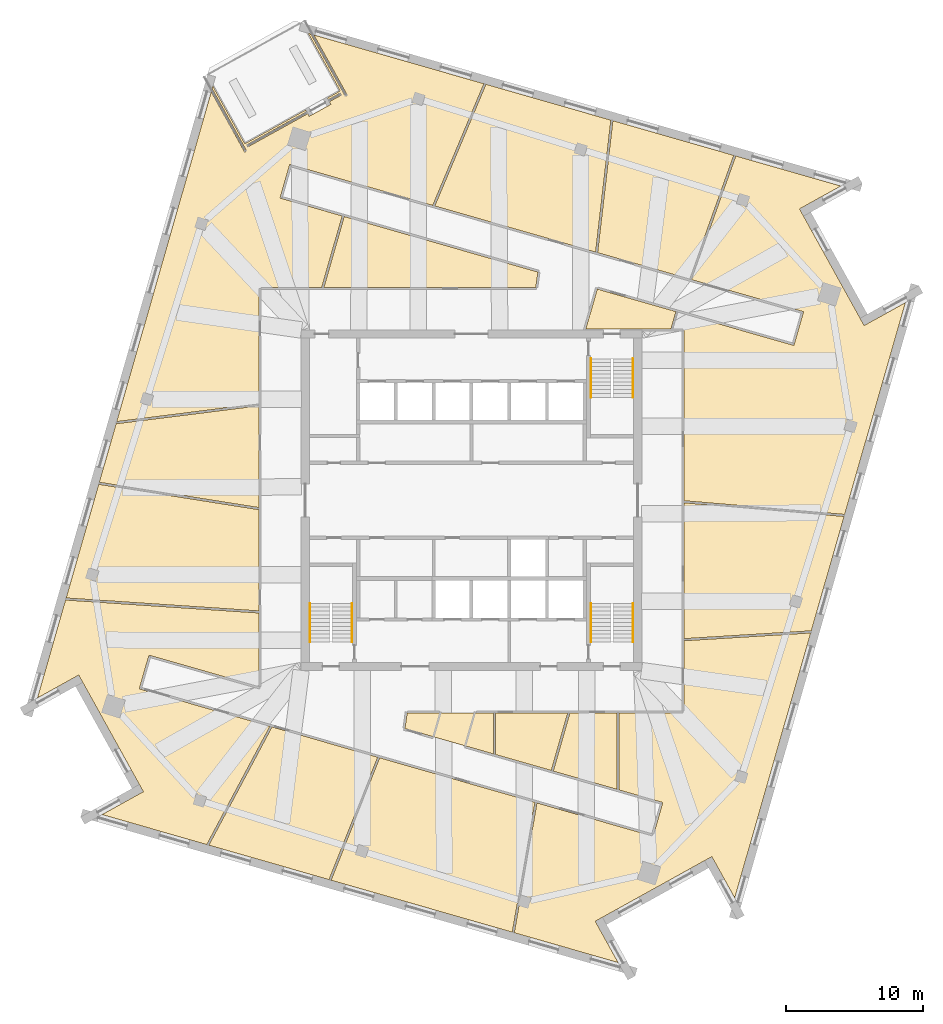
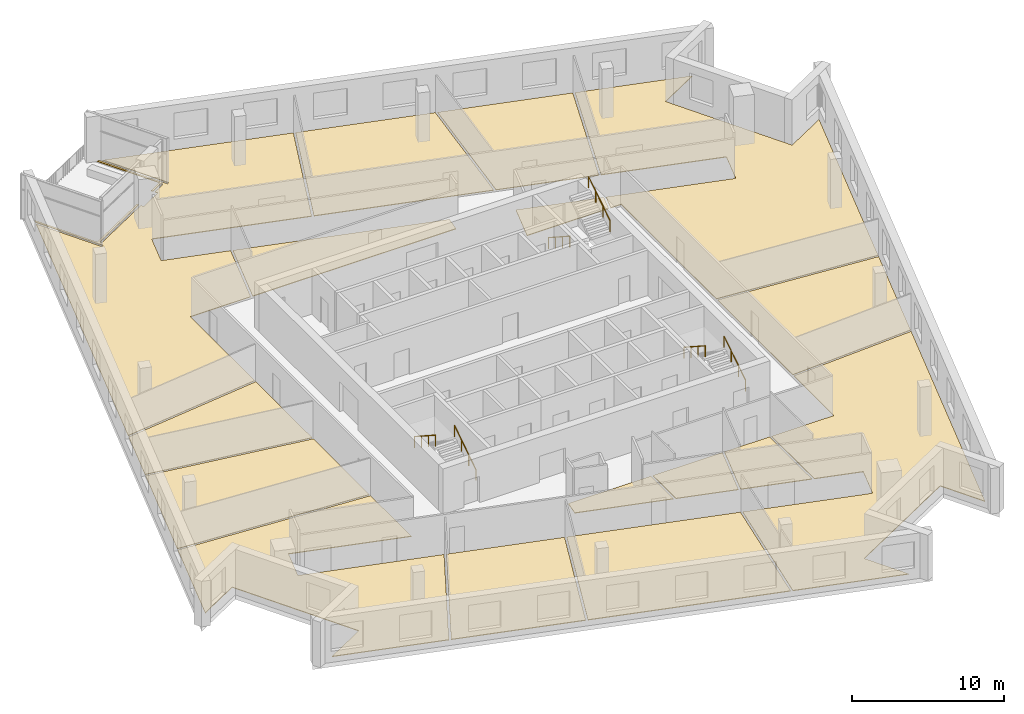
# One storey, part 13 of 15: 16 coverings, 6 railings.
"""IFC4 building model written with IfcOpenShell, lengths in metres."""

from ifc_helpers import new_model, si_unit, direction, frame, origin, origin_2d, place, context, subcontext, project, spatial, polyline, circle, outline, extrude, material, layer, layer_set, type_object, element, save


model = new_model("IFC4")

# Units and contexts
model_context = context("Model", 3, precision=1e-05, world=origin(), true_north=direction((0.0, 1.0)))
body_context = subcontext(model_context, "Body", "Model", "MODEL_VIEW")
ifc_project = project(units=[si_unit("LENGTHUNIT", "METRE"), si_unit("AREAUNIT", "SQUARE_METRE"), si_unit("VOLUMEUNIT", "CUBIC_METRE"), si_unit("PLANEANGLEUNIT", "RADIAN"), si_unit("MASSUNIT", "GRAM", prefix="KILO")], contexts=[model_context])

# Site, building, storey
site_placement = place(None, origin())
site = spatial("IfcSite", under=ifc_project, at=site_placement, CompositionType="ELEMENT")
building_placement = place(site_placement, origin())
building = spatial("IfcBuilding", under=site, at=building_placement, Name="Dilmun Exchange Tower", CompositionType="ELEMENT")
storey_placement = place(building_placement, frame((0.0, 0.0, 324.5)))
storey = spatial("IfcBuildingStorey", under=building, at=storey_placement, Name="L77", CompositionType="ELEMENT", Elevation=324.5)

# Coverings
ifc_material_1 = material(Name="Carpet floor finish 50")
ifc_layer_1 = layer(ifc_material_1, 0.050048828125)
ifc_layer_set_1 = layer_set([ifc_layer_1], Name="Carpet floor finish 50")
covering_type_1 = type_object("IfcCoveringType", Name="Carpet floor finish 50", PredefinedType="FLOORING", material=ifc_layer_set_1)
covering_1_placement = place(storey_placement, origin())
element("IfcCovering", 1, at=covering_1_placement, inside=storey, type_object=covering_type_1, Name="Carpet floor finish 50 Members library", PredefinedType="FLOORING", context=body_context, shape_type="SweptSolid", body=[
    extrude(outline(polyline([(-15.47509765625, -8.199951171875), (-15.47509765625, -13.5654296875), (-23.468994140625, -11.273193359375), (-24.171875, -13.724365234375), (-14.66455078125, -16.45068359375), (-19.263671875, -25.05908203125), (-26.8828125, -22.874267578125), (-23.880859375, -21.210205078125), (-23.880615234375, -21.210205078125), (-23.880615234375, -21.210205078125), (-23.88037109375, -21.2099609375), (-23.880126953125, -21.209716796875), (-23.880126953125, -21.209716796875), (-23.8798828125, -21.20947265625), (-23.8798828125, -21.209228515625), (-23.8798828125, -21.208984375), (-23.8798828125, -21.208984375), (-23.8798828125, -21.208740234375), (-23.8798828125, -21.20849609375), (-23.8798828125, -21.20849609375), (-23.8798828125, -21.208251953125), (-23.8798828125, -21.2080078125), (-23.8798828125, -21.207763671875), (-23.8798828125, -21.20751953125), (-24.170654296875, -20.68310546875), (-24.170654296875, -20.68310546875), (-24.1708984375, -20.68310546875), (-24.1708984375, -20.682861328125), (-28.291748046875, -13.24853515625), (-28.291748046875, -13.24853515625), (-28.291748046875, -13.24853515625), (-28.582763671875, -12.7236328125), (-28.582763671875, -12.7236328125), (-28.5830078125, -12.723388671875), (-28.5830078125, -12.723388671875), (-28.583251953125, -12.72314453125), (-28.58349609375, -12.722900390625), (-28.58349609375, -12.722900390625), (-28.583740234375, -12.722900390625), (-28.583984375, -12.722900390625), (-28.583984375, -12.72265625), (-28.584228515625, -12.72265625), (-28.58447265625, -12.72265625), (-28.584716796875, -12.72265625), (-28.5849609375, -12.722900390625), (-28.585205078125, -12.722900390625), (-28.585205078125, -12.722900390625), (-28.58544921875, -12.722900390625), (-31.587158203125, -14.386962890625), (-29.54296875, -7.2578125), (-15.47509765625, -8.199951171875)])), origin(), (0.0, 0.0, 1.0), 0.050048828125),
])
covering_2_placement = place(storey_placement, origin())
element("IfcCovering", 2, at=covering_2_placement, inside=storey, type_object=covering_type_1, Name="Carpet floor finish 50 Serviced office", PredefinedType="FLOORING", context=body_context, shape_type="SweptSolid", body=[
    extrude(outline(polyline([(-29.500732421875, -7.1103515625), (-27.127685546875, 1.1650390625), (-15.47509765625, -0.680908203125), (-15.47509765625, -8.049560546875), (-29.500732421875, -7.1103515625)])), origin(), (0.0, 0.0, 1.0), 0.050048828125),
])
covering_3_placement = place(storey_placement, origin())
element("IfcCovering", 3, at=covering_3_placement, inside=storey, type_object=covering_type_1, Name="Carpet floor finish 50 Members lounge", PredefinedType="FLOORING", context=body_context, shape_type="SweptSolid", body=[
    extrude(outline(polyline([(-15.47509765625, 6.875244140625), (-15.47509765625, -0.529052734375), (-27.086181640625, 1.310302734375), (-25.864501953125, 5.571044921875), (-15.47509765625, 6.875244140625)])), origin(), (0.0, 0.0, 1.0), 0.050048828125),
])
covering_4_placement = place(storey_placement, origin())
element("IfcCovering", 4, at=covering_4_placement, inside=storey, type_object=covering_type_1, Name="Carpet floor finish 50 Garden lounge", PredefinedType="FLOORING", context=body_context, shape_type="SweptSolid", body=[
    extrude(outline(polyline([(-16.49267578125, 25.95263671875), (-12.065185546875, 28.40673828125), (-11.99609375, 28.28173828125), (-16.35791015625, 25.864013671875), (-16.35791015625, 25.86376953125), (-16.358154296875, 25.86376953125), (-16.3583984375, 25.863525390625), (-16.3583984375, 25.86328125), (-16.358642578125, 25.86328125), (-16.358642578125, 25.863037109375), (-16.358642578125, 25.86279296875), (-16.35888671875, 25.86279296875), (-16.35888671875, 25.862548828125), (-16.35888671875, 25.8623046875), (-16.35888671875, 25.862060546875), (-16.35888671875, 25.86181640625), (-16.35888671875, 25.86181640625), (-16.35888671875, 25.861572265625), (-16.358642578125, 25.861328125), (-16.358642578125, 25.861083984375), (-16.281005859375, 25.72119140625), (-16.281005859375, 25.72119140625), (-16.28076171875, 25.720947265625), (-16.28076171875, 25.720703125), (-16.280517578125, 25.720703125), (-16.280517578125, 25.720703125), (-16.2802734375, 25.720458984375), (-16.280029296875, 25.720458984375), (-16.27978515625, 25.72021484375), (-16.27978515625, 25.72021484375), (-16.279541015625, 25.72021484375), (-16.279296875, 25.72021484375), (-16.279052734375, 25.72021484375), (-16.27880859375, 25.72021484375), (-16.27880859375, 25.72021484375), (-16.278564453125, 25.720458984375), (-16.2783203125, 25.720458984375), (-11.91650390625, 28.13818359375), (-11.810791015625, 27.947509765625), (-11.810791015625, 27.947509765625), (-11.810546875, 27.947265625), (-11.810302734375, 27.947265625), (-11.810302734375, 27.947021484375), (-11.81005859375, 27.947021484375), (-11.81005859375, 27.94677734375), (-11.809814453125, 27.94677734375), (-11.8095703125, 27.94677734375), (-11.809326171875, 27.94677734375), (-11.80908203125, 27.946533203125), (-11.80908203125, 27.946533203125), (-11.808837890625, 27.946533203125), (-11.80859375, 27.94677734375), (-11.808349609375, 27.94677734375), (-11.808349609375, 27.94677734375), (-11.80810546875, 27.947021484375), (-10.23388671875, 28.819580078125), (-10.233642578125, 28.819580078125), (-10.2333984375, 28.81982421875), (-10.2333984375, 28.81982421875), (-10.233154296875, 28.820068359375), (-10.233154296875, 28.8203125), (-10.23291015625, 28.8203125), (-10.23291015625, 28.820556640625), (-10.23291015625, 28.82080078125), (-10.23291015625, 28.821044921875), (-10.23291015625, 28.8212890625), (-10.23291015625, 28.8212890625), (-10.23291015625, 28.821533203125), (-10.23291015625, 28.82177734375), (-10.23291015625, 28.822021484375), (-10.23291015625, 28.822021484375), (-10.23291015625, 28.822265625), (-10.338623046875, 29.012939453125), (-9.475341796875, 29.491455078125), (-9.47509765625, 29.49169921875), (-9.47509765625, 29.49169921875), (-9.474853515625, 29.49169921875), (-9.474853515625, 29.491943359375), (-9.474609375, 29.4921875), (-9.474609375, 29.4921875), (-9.474609375, 29.492431640625), (-9.474365234375, 29.49267578125), (-9.474365234375, 29.492919921875), (-9.474365234375, 29.4931640625), (-9.474365234375, 29.493408203125), (-9.474365234375, 29.493408203125), (-9.474365234375, 29.49365234375), (-9.474365234375, 29.493896484375), (-9.474609375, 29.493896484375), (-9.474609375, 29.494140625), (-9.552001953125, 29.634033203125), (-9.55224609375, 29.63427734375), (-9.552490234375, 29.634521484375), (-9.552490234375, 29.634521484375), (-9.552490234375, 29.634765625), (-9.552734375, 29.635009765625), (-9.552978515625, 29.635009765625), (-9.552978515625, 29.635009765625), (-9.55322265625, 29.635009765625), (-9.553466796875, 29.635009765625), (-9.5537109375, 29.63525390625), (-9.553955078125, 29.63525390625), (-9.55419921875, 29.63525390625), (-9.55419921875, 29.635009765625), (-9.554443359375, 29.635009765625), (-9.5546875, 29.635009765625), (-9.554931640625, 29.635009765625), (-10.418212890625, 29.156494140625), (-10.487548828125, 29.281494140625), (-9.55859375, 29.79638671875), (-11.88330078125, 33.990234375), (-11.68896484375, 33.9345703125), (-9.178955078125, 29.406494140625), (-9.178955078125, 29.40625), (-9.1787109375, 29.406005859375), (-9.1787109375, 29.406005859375), (-9.178466796875, 29.406005859375), (-9.178466796875, 29.40576171875), (-9.17822265625, 29.405517578125), (-9.177978515625, 29.405517578125), (-9.177734375, 29.405517578125), (-9.177490234375, 29.405517578125), (-9.177490234375, 29.405517578125), (-9.17724609375, 29.405517578125), (-9.177001953125, 29.405517578125), (-9.1767578125, 29.405517578125), (-9.1767578125, 29.405517578125), (-9.176513671875, 29.405517578125), (-9.17626953125, 29.40576171875), (-9.036376953125, 29.483154296875), (-9.0361328125, 29.4833984375), (-9.035888671875, 29.4833984375), (-9.035888671875, 29.483642578125), (-9.035888671875, 29.483642578125), (-9.03564453125, 29.48388671875), (-9.03564453125, 29.484130859375), (-9.035400390625, 29.484130859375), (-9.035400390625, 29.484375), (-9.035400390625, 29.484619140625), (-9.035400390625, 29.48486328125), (-9.035400390625, 29.485107421875), (-9.035400390625, 29.485107421875), (-9.035400390625, 29.4853515625), (-9.035400390625, 29.485595703125), (-9.035400390625, 29.48583984375), (-9.03564453125, 29.486083984375), (-11.466064453125, 33.87060546875), (0.909912109375, 30.32177734375), (-2.815185546875, 21.462890625), (-13.22607421875, 24.447998046875), (-13.928955078125, 21.996826171875), (-9.404052734375, 20.699462890625), (-10.902099609375, 15.47509765625), (-15.47509765625, 15.47509765625), (-15.47509765625, 7.0263671875), (-25.8193359375, 5.727783203125), (-18.93701171875, 29.729248046875), (-16.506591796875, 25.344482421875), (-16.506591796875, 25.344482421875), (-16.506591796875, 25.34423828125), (-16.50634765625, 25.34423828125), (-16.506103515625, 25.343994140625), (-16.506103515625, 25.343994140625), (-16.505859375, 25.34375), (-16.505615234375, 25.34375), (-16.505615234375, 25.34375), (-16.50537109375, 25.343505859375), (-16.505126953125, 25.343505859375), (-16.5048828125, 25.343505859375), (-16.504638671875, 25.343505859375), (-16.50439453125, 25.34375), (-16.50439453125, 25.34375), (-16.504150390625, 25.34375), (-16.50390625, 25.343994140625), (-16.364013671875, 25.42138671875), (-16.364013671875, 25.42138671875), (-16.36376953125, 25.421630859375), (-16.363525390625, 25.421875), (-16.363525390625, 25.421875), (-16.36328125, 25.422119140625), (-16.36328125, 25.42236328125), (-16.36328125, 25.42236328125), (-16.363037109375, 25.422607421875), (-16.363037109375, 25.4228515625), (-16.363037109375, 25.423095703125), (-16.363037109375, 25.423095703125), (-16.363037109375, 25.42333984375), (-16.363037109375, 25.423583984375), (-16.363037109375, 25.423828125), (-16.36328125, 25.424072265625), (-16.36328125, 25.42431640625), (-18.873291015625, 29.9521484375), (-18.8173828125, 30.146484375), (-16.49267578125, 25.95263671875)])), origin(), (0.0, 0.0, 1.0), 0.050048828125),
])
covering_5_placement = place(storey_placement, origin())
element("IfcCovering", 5, at=covering_5_placement, inside=storey, type_object=covering_type_1, Name="Carpet floor finish 50 Business centre", PredefinedType="FLOORING", context=body_context, shape_type="SweptSolid", body=[
    extrude(outline(polyline([(-10.74609375, 15.47509765625), (-9.260009765625, 20.657958984375), (4.839111328125, 16.614990234375), (4.678955078125, 15.47509765625), (-10.74609375, 15.47509765625)])), origin(), (0.0, 0.0, 1.0), 0.050048828125),
])
covering_6_placement = place(storey_placement, origin())
element("IfcCovering", 6, at=covering_6_placement, inside=storey, type_object=covering_type_1, Name="Carpet floor finish 50 Cafe", PredefinedType="FLOORING", context=body_context, shape_type="SweptSolid", body=[
    extrude(outline(polyline([(-6.678955078125, -18.740478515625), (4.624755859375, -21.981689453125), (2.97265625, -31.43505859375), (-10.21630859375, -27.6533203125), (-6.678955078125, -18.740478515625)])), origin(), (0.0, 0.0, 1.0), 0.050048828125),
])
covering_7_placement = place(storey_placement, origin())
element("IfcCovering", 7, at=covering_7_placement, inside=storey, type_object=covering_type_1, Name="Carpet floor finish 50 Co-working hall 1", PredefinedType="FLOORING", context=body_context, shape_type="SweptSolid", body=[
    extrude(outline(polyline([(15.87353515625, 16.10400390625), (9.183349609375, 18.022216796875), (10.29443359375, 27.630859375), (19.094482421875, 25.107421875), (15.87353515625, 16.10400390625)])), origin(), (0.0, 0.0, 1.0), 0.050048828125),
])
covering_8_placement = place(storey_placement, origin())
element("IfcCovering", 8, at=covering_8_placement, inside=storey, type_object=covering_type_1, Name="Carpet floor finish 50 Co-working hall 2", PredefinedType="FLOORING", context=body_context, shape_type="SweptSolid", body=[
    extrude(outline(polyline([(4.769775390625, -22.023193359375), (13.22607421875, -24.447998046875), (13.928955078125, -21.996826171875), (10.744140625, -21.08349609375), (10.744140625, -15.47509765625), (15.47509765625, -15.47509765625), (15.47509765625, -10.22119140625), (24.693603515625, -9.65380859375), (19.16357421875, -28.939453125), (17.49951171875, -25.937744140625), (17.49951171875, -25.9375), (17.49951171875, -25.9375), (17.499267578125, -25.937255859375), (17.4990234375, -25.93701171875), (17.4990234375, -25.93701171875), (17.498779296875, -25.93701171875), (17.49853515625, -25.936767578125), (17.498291015625, -25.936767578125), (17.498291015625, -25.936767578125), (17.498046875, -25.936767578125), (17.497802734375, -25.936767578125), (17.497802734375, -25.936767578125), (17.49755859375, -25.936767578125), (17.497314453125, -25.936767578125), (17.4970703125, -25.936767578125), (17.496826171875, -25.93701171875), (16.972412109375, -26.2275390625), (16.972412109375, -26.2275390625), (16.972412109375, -26.227783203125), (16.97216796875, -26.227783203125), (9.538330078125, -30.348388671875), (9.538330078125, -30.348388671875), (9.5380859375, -30.348388671875), (9.5380859375, -30.348388671875), (9.537841796875, -30.3486328125), (9.012939453125, -30.639404296875), (9.012939453125, -30.6396484375), (9.0126953125, -30.6396484375), (9.0126953125, -30.639892578125), (9.012451171875, -30.639892578125), (9.01220703125, -30.64013671875), (9.01220703125, -30.640380859375), (9.01220703125, -30.640380859375), (9.01220703125, -30.640625), (9.011962890625, -30.640869140625), (9.011962890625, -30.64111328125), (9.011962890625, -30.641357421875), (9.011962890625, -30.6416015625), (9.01220703125, -30.6416015625), (9.01220703125, -30.641845703125), (9.01220703125, -30.64208984375), (9.01220703125, -30.64208984375), (10.67626953125, -33.64404296875), (3.11767578125, -31.476806640625), (4.769775390625, -22.023193359375)])), origin(), (0.0, 0.0, 1.0), 0.050048828125),
])
covering_9_placement = place(storey_placement, origin())
element("IfcCovering", 9, at=covering_9_placement, inside=storey, type_object=covering_type_1, Name="Carpet floor finish 50 Club dining room", PredefinedType="FLOORING", context=body_context, shape_type="SweptSolid", body=[
    extrude(outline(polyline([(15.47509765625, -10.071044921875), (15.47509765625, -0.181884765625), (27.125, -1.175048828125), (24.737548828125, -9.500732421875), (15.47509765625, -10.071044921875)])), origin(), (0.0, 0.0, 1.0), 0.050048828125),
])
covering_10_placement = place(storey_placement, origin())
element("IfcCovering", 10, at=covering_10_placement, inside=storey, type_object=covering_type_1, Name="Carpet floor finish 50 Co-working hall 3", PredefinedType="FLOORING", context=body_context, shape_type="SweptSolid", body=[
    extrude(outline(polyline([(15.027587890625, 13.693603515625), (23.468994140625, 11.273193359375), (24.171875, 13.724365234375), (16.01806640625, 16.0625), (19.23876953125, 25.066162109375), (26.8828125, 22.874267578125), (23.880859375, 21.210205078125), (23.880615234375, 21.210205078125), (23.880615234375, 21.210205078125), (23.88037109375, 21.2099609375), (23.880126953125, 21.209716796875), (23.880126953125, 21.209716796875), (23.8798828125, 21.20947265625), (23.8798828125, 21.209228515625), (23.8798828125, 21.208984375), (23.8798828125, 21.208984375), (23.8798828125, 21.208740234375), (23.8798828125, 21.20849609375), (23.8798828125, 21.20849609375), (23.8798828125, 21.208251953125), (23.8798828125, 21.2080078125), (23.8798828125, 21.207763671875), (23.8798828125, 21.20751953125), (24.170654296875, 20.68310546875), (24.170654296875, 20.68310546875), (24.1708984375, 20.68310546875), (24.1708984375, 20.682861328125), (28.291748046875, 13.24853515625), (28.291748046875, 13.24853515625), (28.291748046875, 13.24853515625), (28.582763671875, 12.7236328125), (28.582763671875, 12.7236328125), (28.5830078125, 12.723388671875), (28.5830078125, 12.723388671875), (28.583251953125, 12.72314453125), (28.58349609375, 12.722900390625), (28.58349609375, 12.722900390625), (28.583740234375, 12.722900390625), (28.583984375, 12.722900390625), (28.583984375, 12.72265625), (28.584228515625, 12.72265625), (28.58447265625, 12.72265625), (28.584716796875, 12.72265625), (28.5849609375, 12.722900390625), (28.585205078125, 12.722900390625), (28.585205078125, 12.722900390625), (28.58544921875, 12.722900390625), (31.587158203125, 14.386962890625), (27.1669921875, -1.028076171875), (15.47509765625, -0.03125), (15.47509765625, 12.47509765625), (14.67822265625, 12.47509765625), (15.027587890625, 13.693603515625)])), origin(), (0.0, 0.0, 1.0), 0.050048828125),
])

# Railings
ifc_material_2 = material(Name="Stainless steel", Category="steel")
railing_type = type_object("IfcRailingType", Name="Stair handrail 900", PredefinedType="HANDRAIL", material=ifc_material_2)
railing_1_placement = place(storey_placement, frame((8.699951171875, 10.300048828125, 0.181884765625)))
element("IfcRailing", 11, at=railing_1_placement, inside=storey, type_object=railing_type, Name="L77 ST1 stair handrail 1", PredefinedType="HANDRAIL", context=body_context, shape_type="SweptSolid", body=[
    extrude(circle(Radius=0.02392578125, at=origin_2d()), frame((0.0, 0.0, 0.8759765625), z_axis=(0.0, -0.838705829183, 0.544584733623), x_axis=(1.0, 0.0, 0.0)), (0.0, 0.0, 1.0), 3.338623046875),
    extrude(circle(Radius=0.02099609375, at=origin_2d()), origin(), (0.0, 0.0, 1.0), 0.851806640625),
    extrude(circle(Radius=0.02099609375, at=origin_2d()), frame((0.0, -0.933349609375, 0.60595703125)), (0.0, 0.0, 1.0), 0.851806640625),
    extrude(circle(Radius=0.02099609375, at=origin_2d()), frame((0.0, -1.86669921875, 1.212158203125)), (0.0, 0.0, 1.0), 0.851806640625),
    extrude(circle(Radius=0.02099609375, at=origin_2d()), frame((0.0, -2.800048828125, 1.818115234375)), (0.0, 0.0, 1.0), 0.851806640625),
])
for number, where, name in (
    (12, (11.75, 7.5, 2.181884765625), "L77 ST1 stair handrail 2"),
    (13, (-8.699951171875, -10.300048828125, 0.181884765625), "L77 ST2 stair handrail 1"),
):
    element("IfcRailing", number, at=place(storey_placement, frame(where)), inside=storey, type_object=railing_type, Name=name, PredefinedType="HANDRAIL", context=body_context, shape_type="SweptSolid", body=[
        extrude(circle(Radius=0.02392578125, at=origin_2d()), frame((0.0, 0.0, 0.8759765625), z_axis=(0.0, 0.838705829183, 0.544584733623), x_axis=(-1.0, 0.0, 0.0)), (0.0, 0.0, 1.0), 3.338623046875),
        extrude(circle(Radius=0.02099609375, at=origin_2d()), origin(), (0.0, 0.0, 1.0), 0.851806640625),
        extrude(circle(Radius=0.02099609375, at=origin_2d()), frame((0.0, 0.933349609375, 0.60595703125)), (0.0, 0.0, 1.0), 0.851806640625),
        extrude(circle(Radius=0.02099609375, at=origin_2d()), frame((0.0, 1.86669921875, 1.212158203125)), (0.0, 0.0, 1.0), 0.851806640625),
        extrude(circle(Radius=0.02099609375, at=origin_2d()), frame((0.0, 2.800048828125, 1.818115234375)), (0.0, 0.0, 1.0), 0.851806640625),
    ])
railing_2_placement = place(storey_placement, frame((-11.75, -7.5, 2.181884765625)))
element("IfcRailing", 14, at=railing_2_placement, inside=storey, type_object=railing_type, Name="L77 ST2 stair handrail 2", PredefinedType="HANDRAIL", context=body_context, shape_type="SweptSolid", body=[
    extrude(circle(Radius=0.02392578125, at=origin_2d()), frame((0.0, 0.0, 0.8759765625), z_axis=(0.0, -0.838705829183, 0.544584733623), x_axis=(1.0, 0.0, 0.0)), (0.0, 0.0, 1.0), 3.338623046875),
    extrude(circle(Radius=0.02099609375, at=origin_2d()), origin(), (0.0, 0.0, 1.0), 0.851806640625),
    extrude(circle(Radius=0.02099609375, at=origin_2d()), frame((0.0, -0.933349609375, 0.60595703125)), (0.0, 0.0, 1.0), 0.851806640625),
    extrude(circle(Radius=0.02099609375, at=origin_2d()), frame((0.0, -1.86669921875, 1.212158203125)), (0.0, 0.0, 1.0), 0.851806640625),
    extrude(circle(Radius=0.02099609375, at=origin_2d()), frame((0.0, -2.800048828125, 1.818115234375)), (0.0, 0.0, 1.0), 0.851806640625),
])
railing_3_placement = place(storey_placement, frame((11.75, -10.300048828125, 0.181884765625)))
element("IfcRailing", 15, at=railing_3_placement, inside=storey, type_object=railing_type, Name="L77 ST3 stair handrail 1", PredefinedType="HANDRAIL", context=body_context, shape_type="SweptSolid", body=[
    extrude(circle(Radius=0.02392578125, at=origin_2d()), frame((0.0, 0.0, 0.8759765625), z_axis=(0.0, 0.838705829183, 0.544584733623), x_axis=(-1.0, 0.0, 0.0)), (0.0, 0.0, 1.0), 3.338623046875),
    extrude(circle(Radius=0.02099609375, at=origin_2d()), origin(), (0.0, 0.0, 1.0), 0.851806640625),
    extrude(circle(Radius=0.02099609375, at=origin_2d()), frame((0.0, 0.933349609375, 0.60595703125)), (0.0, 0.0, 1.0), 0.851806640625),
    extrude(circle(Radius=0.02099609375, at=origin_2d()), frame((0.0, 1.86669921875, 1.212158203125)), (0.0, 0.0, 1.0), 0.851806640625),
    extrude(circle(Radius=0.02099609375, at=origin_2d()), frame((0.0, 2.800048828125, 1.818115234375)), (0.0, 0.0, 1.0), 0.851806640625),
])
railing_4_placement = place(storey_placement, frame((8.699951171875, -7.5, 2.181884765625)))
element("IfcRailing", 16, at=railing_4_placement, inside=storey, type_object=railing_type, Name="L77 ST3 stair handrail 2", PredefinedType="HANDRAIL", context=body_context, shape_type="SweptSolid", body=[
    extrude(circle(Radius=0.02392578125, at=origin_2d()), frame((0.0, 0.0, 0.8759765625), z_axis=(0.0, -0.838705829183, 0.544584733623), x_axis=(1.0, 0.0, 0.0)), (0.0, 0.0, 1.0), 3.338623046875),
    extrude(circle(Radius=0.02099609375, at=origin_2d()), origin(), (0.0, 0.0, 1.0), 0.851806640625),
    extrude(circle(Radius=0.02099609375, at=origin_2d()), frame((0.0, -0.933349609375, 0.60595703125)), (0.0, 0.0, 1.0), 0.851806640625),
    extrude(circle(Radius=0.02099609375, at=origin_2d()), frame((0.0, -1.86669921875, 1.212158203125)), (0.0, 0.0, 1.0), 0.851806640625),
    extrude(circle(Radius=0.02099609375, at=origin_2d()), frame((0.0, -2.800048828125, 1.818115234375)), (0.0, 0.0, 1.0), 0.851806640625),
])

# Coverings
ifc_material_3 = material(Name="Stone floor finish 50", Category="masonry")
ifc_layer_2 = layer(ifc_material_3, 0.050048828125)
ifc_layer_set_2 = layer_set([ifc_layer_2], Name="Stone floor finish 50")
covering_type_2 = type_object("IfcCoveringType", Name="Stone floor finish 50", PredefinedType="FLOORING", material=ifc_layer_set_2)
covering_11_placement = place(storey_placement, origin())
element("IfcCovering", 17, at=covering_11_placement, inside=storey, type_object=covering_type_2, Name="Stone floor finish 50 Reception 1", PredefinedType="FLOORING", context=body_context, shape_type="SweptSolid", body=[
    extrude(outline(polyline([(-14.51708984375, -16.492919921875), (-6.82373046875, -18.698974609375), (-10.361083984375, -27.61181640625), (-19.1162109375, -25.101318359375), (-14.51708984375, -16.492919921875)])), origin(), (0.0, 0.0, 1.0), 0.050048828125),
])
covering_12_placement = place(storey_placement, origin())
element("IfcCovering", 18, at=covering_12_placement, inside=storey, type_object=covering_type_2, Name="Stone floor finish 50 Reception 2", PredefinedType="FLOORING", context=body_context, shape_type="SweptSolid", body=[
    extrude(outline(polyline([(9.037109375, 18.064208984375), (-2.669921875, 21.421142578125), (1.05517578125, 30.2802734375), (10.1484375, 27.6728515625), (9.037109375, 18.064208984375)])), origin(), (0.0, 0.0, 1.0), 0.050048828125),
])
covering_13_placement = place(storey_placement, origin())
element("IfcCovering", 19, at=covering_13_placement, inside=storey, type_object=covering_type_2, Name="Stone floor finish 50 Reception 3", PredefinedType="FLOORING", context=body_context, shape_type="SweptSolid", body=[
    extrude(outline(polyline([(10.593994140625, -21.04052734375), (5.95361328125, -19.7099609375), (7.16796875, -15.47509765625), (10.593994140625, -15.47509765625), (10.593994140625, -21.04052734375)])), origin(), (0.0, 0.0, 1.0), 0.050048828125),
])
ifc_material_4 = material(Name="Tile floor finish 50")
ifc_layer_3 = layer(ifc_material_4, 0.050048828125)
ifc_layer_set_3 = layer_set([ifc_layer_3], Name="Tile floor finish 50")
covering_type_3 = type_object("IfcCoveringType", Name="Tile floor finish 50", PredefinedType="FLOORING", material=ifc_layer_set_3)
covering_14_placement = place(storey_placement, origin())
element("IfcCovering", 20, at=covering_14_placement, inside=storey, type_object=covering_type_3, Name="Tile floor finish 50 Pantry 1", PredefinedType="FLOORING", context=body_context, shape_type="SweptSolid", body=[
    extrude(outline(polyline([(1.595458984375, -15.47509765625), (1.595458984375, -18.460205078125), (-4.839111328125, -16.614990234375), (-4.678955078125, -15.47509765625), (1.595458984375, -15.47509765625)])), origin(), (0.0, 0.0, 1.0), 0.050048828125),
])
covering_15_placement = place(storey_placement, origin())
element("IfcCovering", 21, at=covering_15_placement, inside=storey, type_object=covering_type_3, Name="Tile floor finish 50 Pantry 2", PredefinedType="FLOORING", context=body_context, shape_type="SweptSolid", body=[
    extrude(outline(polyline([(1.745361328125, -15.47509765625), (7.011962890625, -15.47509765625), (5.809326171875, -19.668701171875), (1.745361328125, -18.50341796875), (1.745361328125, -15.47509765625)])), origin(), (0.0, 0.0, 1.0), 0.050048828125),
])
covering_16_placement = place(storey_placement, origin())
element("IfcCovering", 22, at=covering_16_placement, inside=storey, type_object=covering_type_3, Name="Tile floor finish 50 Pantry 3", PredefinedType="FLOORING", context=body_context, shape_type="SweptSolid", body=[
    extrude(outline(polyline([(8.326171875, 12.47509765625), (9.158203125, 15.376708984375), (14.883544921875, 13.735107421875), (14.522216796875, 12.47509765625), (8.326171875, 12.47509765625)])), origin(), (0.0, 0.0, 1.0), 0.050048828125),
])

save(model, "model.ifc")
